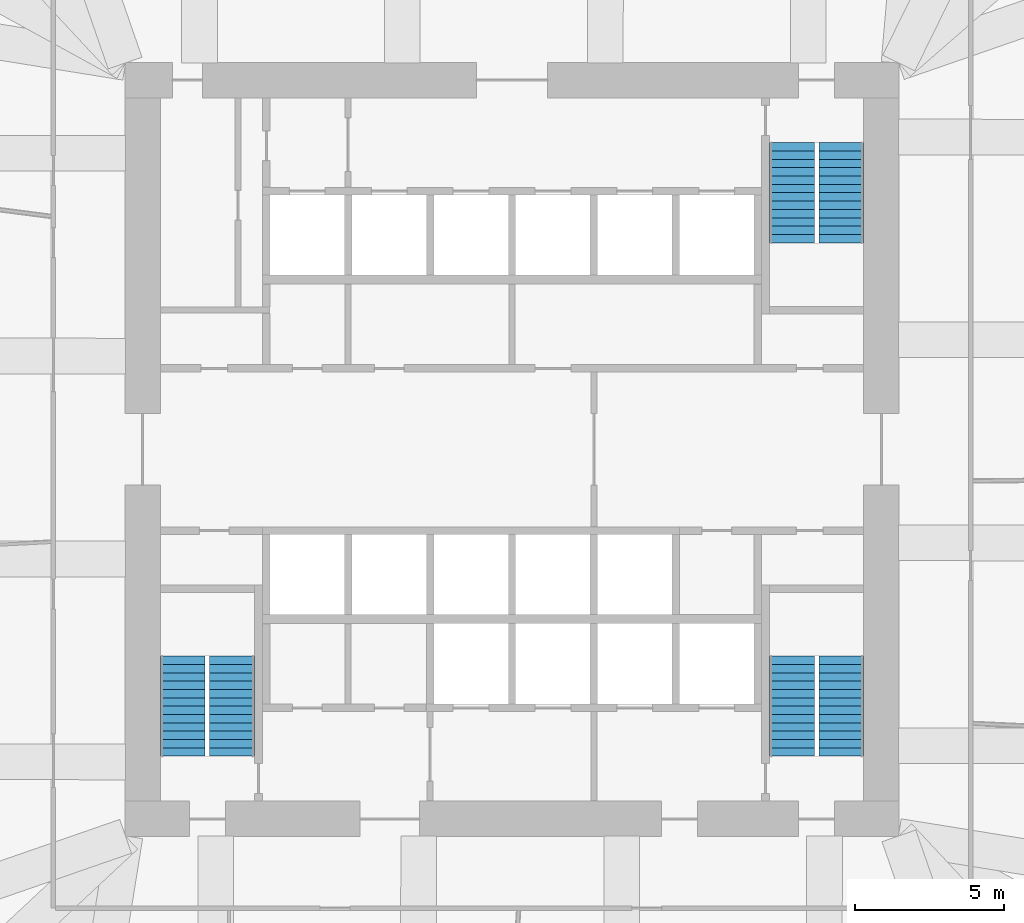
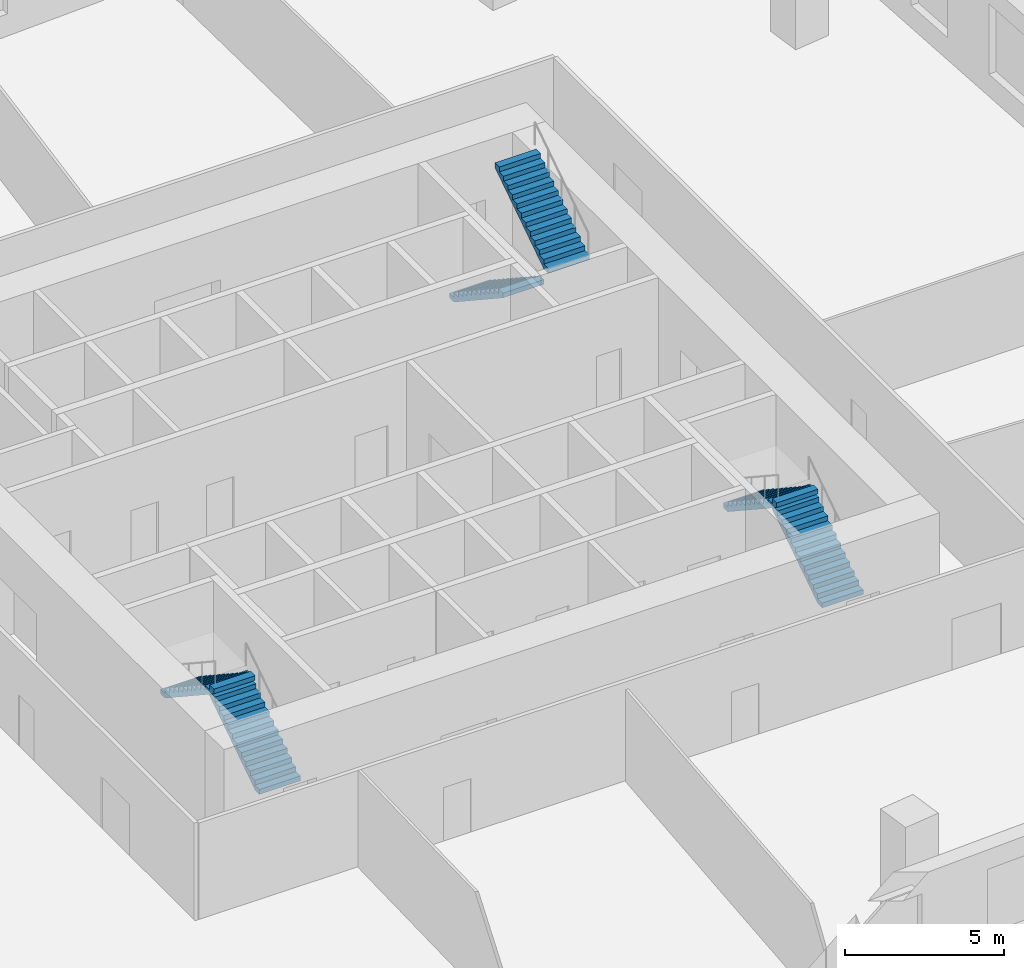
# One storey, part 8 of 10: 6 stair flights, 3 elements without a shape of their own.
"""IFC4 building model written with IfcOpenShell, lengths in metres."""

from ifc_helpers import new_model, si_unit, direction, frame, origin, place, context, subcontext, project, spatial, polyline, outline, extrude, material, type_object, element, aggregate, save


model = new_model("IFC4")

# Units and contexts
model_context = context("Model", 3, precision=1e-05, world=origin(), true_north=direction((0.0, 1.0)))
body_context = subcontext(model_context, "Body", "Model", "MODEL_VIEW")
ifc_project = project(units=[si_unit("LENGTHUNIT", "METRE"), si_unit("AREAUNIT", "SQUARE_METRE"), si_unit("VOLUMEUNIT", "CUBIC_METRE"), si_unit("PLANEANGLEUNIT", "RADIAN"), si_unit("MASSUNIT", "GRAM", prefix="KILO")], contexts=[model_context])

# Site, building, storey
site_placement = place(None, origin())
site = spatial("IfcSite", under=ifc_project, at=site_placement, CompositionType="ELEMENT")
building_placement = place(site_placement, origin())
building = spatial("IfcBuilding", under=site, at=building_placement, Name="Dilmun Exchange Tower", CompositionType="ELEMENT")
storey_placement = place(building_placement, frame((0.0, 0.0, 27.300048828125)))
storey = spatial("IfcBuildingStorey", under=building, at=storey_placement, Name="L06", CompositionType="ELEMENT", Elevation=27.300048828125)

# Stair, stair flights
ifc_material = material(Name="Concrete C40/50", Category="concrete")
stair_type = type_object("IfcStairType", Name="Exit stair 1500 half-turn", PredefinedType="HALF_TURN_STAIR", material=ifc_material)
stair_1_placement = place(storey_placement, origin())
stair_1 = element("IfcStair", 1, at=stair_1_placement, inside=storey, type_object=stair_type, Name="L06 Protected exit stair ST1", PredefinedType="HALF_TURN_STAIR")
stair_flight_type = type_object("IfcStairFlightType", Name="Exit stair flight 1500", PredefinedType="STRAIGHT", material=ifc_material)
stair_flight_1_placement = place(storey_placement, frame((9.39990234375, 10.300048828125, 0.0), z_axis=(0.0, 0.0, 1.0), x_axis=(0.0, -1.0, 0.0)))
stair_flight_1 = element("IfcStairFlight", 2, at=stair_flight_1_placement, type_object=stair_flight_type, Name="ST1 flight 1", NumberOfRisers=13, NumberOfTreads=12, PredefinedType="STRAIGHT", RiserHeight=0.184615385, TreadLength=0.28, context=body_context, shape_type="SweptSolid", body=[
    extrude(outline(polyline([(0.0, 0.0), (0.0, 0.1845703125), (0.280029296875, 0.1845703125), (0.280029296875, 0.369140625), (0.56005859375, 0.369140625), (0.56005859375, 0.553955078125), (0.840087890625, 0.553955078125), (0.840087890625, 0.738525390625), (1.1201171875, 0.738525390625), (1.1201171875, 0.923095703125), (1.39990234375, 0.923095703125), (1.39990234375, 1.107666015625), (1.679931640625, 1.107666015625), (1.679931640625, 1.292236328125), (1.9599609375, 1.292236328125), (1.9599609375, 1.476806640625), (2.239990234375, 1.476806640625), (2.239990234375, 1.66162109375), (2.52001953125, 1.66162109375), (2.52001953125, 1.84619140625), (2.800048828125, 1.84619140625), (2.800048828125, 2.03076171875), (3.080078125, 2.03076171875), (3.080078125, 2.21533203125), (3.360107421875, 2.21533203125), (3.360107421875, 2.39990234375), (3.360107421875, 2.035888671875), (0.272216796875, 0.0), (0.0, 0.0)])), frame((0.0, 0.75, 0.0), z_axis=(0.0, -1.0, 0.0), x_axis=(1.0, 0.0, 0.0)), (0.0, 0.0, 1.0), 1.5),
])
stair_flight_2_placement = place(storey_placement, frame((11.050048828125, 6.93994140625, 2.39990234375), z_axis=(0.0, 0.0, 1.0), x_axis=(0.0, 1.0, 0.0)))
stair_flight_2 = element("IfcStairFlight", 3, at=stair_flight_2_placement, type_object=stair_flight_type, Name="ST1 flight 2", NumberOfRisers=13, NumberOfTreads=12, PredefinedType="STRAIGHT", RiserHeight=0.184615385, TreadLength=0.28, context=body_context, shape_type="SweptSolid", body=[
    extrude(outline(polyline([(0.0, 0.0), (0.0, 0.1845703125), (0.280029296875, 0.1845703125), (0.280029296875, 0.369140625), (0.56005859375, 0.369140625), (0.56005859375, 0.553955078125), (0.840087890625, 0.553955078125), (0.840087890625, 0.738525390625), (1.1201171875, 0.738525390625), (1.1201171875, 0.923095703125), (1.39990234375, 0.923095703125), (1.39990234375, 1.107666015625), (1.679931640625, 1.107666015625), (1.679931640625, 1.292236328125), (1.9599609375, 1.292236328125), (1.9599609375, 1.476806640625), (2.239990234375, 1.476806640625), (2.239990234375, 1.66162109375), (2.52001953125, 1.66162109375), (2.52001953125, 1.84619140625), (2.800048828125, 1.84619140625), (2.800048828125, 2.03076171875), (3.080078125, 2.03076171875), (3.080078125, 2.21533203125), (3.360107421875, 2.21533203125), (3.360107421875, 2.39990234375), (3.360107421875, 2.035888671875), (0.272216796875, 0.0), (0.0, 0.0)])), frame((0.0, 0.75, 0.0), z_axis=(0.0, -1.0, 0.0), x_axis=(1.0, 0.0, 0.0)), (0.0, 0.0, 1.0), 1.5),
])
aggregate(stair_1, [stair_flight_1, stair_flight_2])

stair_2_placement = place(storey_placement, origin())
stair_2 = element("IfcStair", 4, at=stair_2_placement, inside=storey, type_object=stair_type, Name="L06 Protected exit stair ST2", PredefinedType="HALF_TURN_STAIR")
stair_flight_3_placement = place(storey_placement, frame((-9.39990234375, -10.300048828125, 0.0), z_axis=(0.0, 0.0, 1.0), x_axis=(0.0, 1.0, 0.0)))
stair_flight_3 = element("IfcStairFlight", 5, at=stair_flight_3_placement, type_object=stair_flight_type, Name="ST2 flight 1", NumberOfRisers=13, NumberOfTreads=12, PredefinedType="STRAIGHT", RiserHeight=0.184615385, TreadLength=0.28, context=body_context, shape_type="SweptSolid", body=[
    extrude(outline(polyline([(0.0, 0.0), (0.0, 0.1845703125), (0.280029296875, 0.1845703125), (0.280029296875, 0.369140625), (0.56005859375, 0.369140625), (0.56005859375, 0.553955078125), (0.840087890625, 0.553955078125), (0.840087890625, 0.738525390625), (1.1201171875, 0.738525390625), (1.1201171875, 0.923095703125), (1.39990234375, 0.923095703125), (1.39990234375, 1.107666015625), (1.679931640625, 1.107666015625), (1.679931640625, 1.292236328125), (1.9599609375, 1.292236328125), (1.9599609375, 1.476806640625), (2.239990234375, 1.476806640625), (2.239990234375, 1.66162109375), (2.52001953125, 1.66162109375), (2.52001953125, 1.84619140625), (2.800048828125, 1.84619140625), (2.800048828125, 2.03076171875), (3.080078125, 2.03076171875), (3.080078125, 2.21533203125), (3.360107421875, 2.21533203125), (3.360107421875, 2.39990234375), (3.360107421875, 2.035888671875), (0.272216796875, 0.0), (0.0, 0.0)])), frame((0.0, 0.75, 0.0), z_axis=(0.0, -1.0, 0.0), x_axis=(1.0, 0.0, 0.0)), (0.0, 0.0, 1.0), 1.5),
])
stair_flight_4_placement = place(storey_placement, frame((-11.050048828125, -6.93994140625, 2.39990234375), z_axis=(0.0, 0.0, 1.0), x_axis=(0.0, -1.0, 0.0)))
stair_flight_4 = element("IfcStairFlight", 6, at=stair_flight_4_placement, type_object=stair_flight_type, Name="ST2 flight 2", NumberOfRisers=13, NumberOfTreads=12, PredefinedType="STRAIGHT", RiserHeight=0.184615385, TreadLength=0.28, context=body_context, shape_type="SweptSolid", body=[
    extrude(outline(polyline([(0.0, 0.0), (0.0, 0.1845703125), (0.280029296875, 0.1845703125), (0.280029296875, 0.369140625), (0.56005859375, 0.369140625), (0.56005859375, 0.553955078125), (0.840087890625, 0.553955078125), (0.840087890625, 0.738525390625), (1.1201171875, 0.738525390625), (1.1201171875, 0.923095703125), (1.39990234375, 0.923095703125), (1.39990234375, 1.107666015625), (1.679931640625, 1.107666015625), (1.679931640625, 1.292236328125), (1.9599609375, 1.292236328125), (1.9599609375, 1.476806640625), (2.239990234375, 1.476806640625), (2.239990234375, 1.66162109375), (2.52001953125, 1.66162109375), (2.52001953125, 1.84619140625), (2.800048828125, 1.84619140625), (2.800048828125, 2.03076171875), (3.080078125, 2.03076171875), (3.080078125, 2.21533203125), (3.360107421875, 2.21533203125), (3.360107421875, 2.39990234375), (3.360107421875, 2.035888671875), (0.272216796875, 0.0), (0.0, 0.0)])), frame((0.0, 0.75, 0.0), z_axis=(0.0, -1.0, 0.0), x_axis=(1.0, 0.0, 0.0)), (0.0, 0.0, 1.0), 1.5),
])
aggregate(stair_2, [stair_flight_3, stair_flight_4])

stair_3_placement = place(storey_placement, origin())
stair_3 = element("IfcStair", 7, at=stair_3_placement, inside=storey, type_object=stair_type, Name="L06 Protected exit stair ST3", PredefinedType="HALF_TURN_STAIR")
stair_flight_5_placement = place(storey_placement, frame((11.050048828125, -10.300048828125, 0.0), z_axis=(0.0, 0.0, 1.0), x_axis=(0.0, 1.0, 0.0)))
stair_flight_5 = element("IfcStairFlight", 8, at=stair_flight_5_placement, type_object=stair_flight_type, Name="ST3 flight 1", NumberOfRisers=13, NumberOfTreads=12, PredefinedType="STRAIGHT", RiserHeight=0.184615385, TreadLength=0.28, context=body_context, shape_type="SweptSolid", body=[
    extrude(outline(polyline([(0.0, 0.0), (0.0, 0.1845703125), (0.280029296875, 0.1845703125), (0.280029296875, 0.369140625), (0.56005859375, 0.369140625), (0.56005859375, 0.553955078125), (0.840087890625, 0.553955078125), (0.840087890625, 0.738525390625), (1.1201171875, 0.738525390625), (1.1201171875, 0.923095703125), (1.39990234375, 0.923095703125), (1.39990234375, 1.107666015625), (1.679931640625, 1.107666015625), (1.679931640625, 1.292236328125), (1.9599609375, 1.292236328125), (1.9599609375, 1.476806640625), (2.239990234375, 1.476806640625), (2.239990234375, 1.66162109375), (2.52001953125, 1.66162109375), (2.52001953125, 1.84619140625), (2.800048828125, 1.84619140625), (2.800048828125, 2.03076171875), (3.080078125, 2.03076171875), (3.080078125, 2.21533203125), (3.360107421875, 2.21533203125), (3.360107421875, 2.39990234375), (3.360107421875, 2.035888671875), (0.272216796875, 0.0), (0.0, 0.0)])), frame((0.0, 0.75, 0.0), z_axis=(0.0, -1.0, 0.0), x_axis=(1.0, 0.0, 0.0)), (0.0, 0.0, 1.0), 1.5),
])
stair_flight_6_placement = place(storey_placement, frame((9.39990234375, -6.93994140625, 2.39990234375), z_axis=(0.0, 0.0, 1.0), x_axis=(0.0, -1.0, 0.0)))
stair_flight_6 = element("IfcStairFlight", 9, at=stair_flight_6_placement, type_object=stair_flight_type, Name="ST3 flight 2", NumberOfRisers=13, NumberOfTreads=12, PredefinedType="STRAIGHT", RiserHeight=0.184615385, TreadLength=0.28, context=body_context, shape_type="SweptSolid", body=[
    extrude(outline(polyline([(0.0, 0.0), (0.0, 0.1845703125), (0.280029296875, 0.1845703125), (0.280029296875, 0.369140625), (0.56005859375, 0.369140625), (0.56005859375, 0.553955078125), (0.840087890625, 0.553955078125), (0.840087890625, 0.738525390625), (1.1201171875, 0.738525390625), (1.1201171875, 0.923095703125), (1.39990234375, 0.923095703125), (1.39990234375, 1.107666015625), (1.679931640625, 1.107666015625), (1.679931640625, 1.292236328125), (1.9599609375, 1.292236328125), (1.9599609375, 1.476806640625), (2.239990234375, 1.476806640625), (2.239990234375, 1.66162109375), (2.52001953125, 1.66162109375), (2.52001953125, 1.84619140625), (2.800048828125, 1.84619140625), (2.800048828125, 2.03076171875), (3.080078125, 2.03076171875), (3.080078125, 2.21533203125), (3.360107421875, 2.21533203125), (3.360107421875, 2.39990234375), (3.360107421875, 2.035888671875), (0.272216796875, 0.0), (0.0, 0.0)])), frame((0.0, 0.75, 0.0), z_axis=(0.0, -1.0, 0.0), x_axis=(1.0, 0.0, 0.0)), (0.0, 0.0, 1.0), 1.5),
])
aggregate(stair_3, [stair_flight_5, stair_flight_6])

save(model, "model.ifc")
